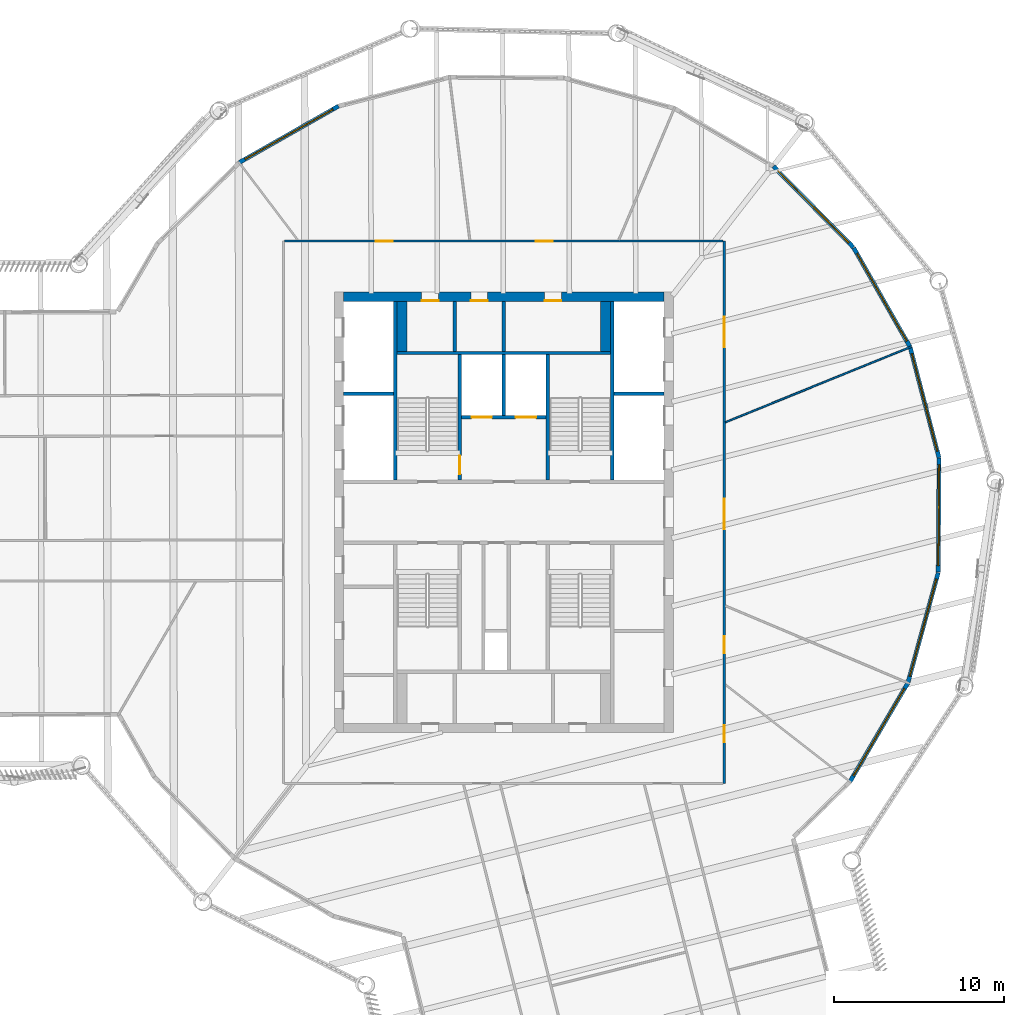
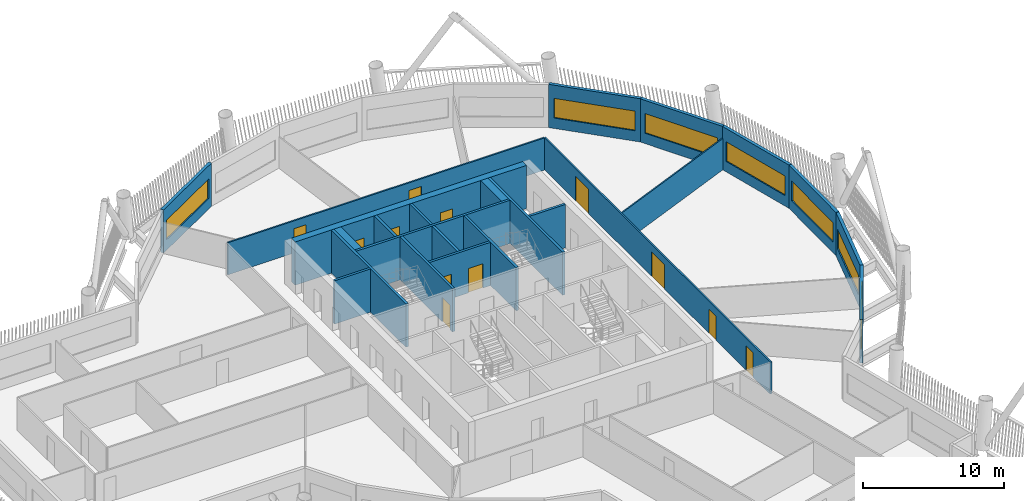
# One storey, part 6 of 22: 24 walls, 12 doors, 7 windows, 19 openings.
"""IFC4 building model written with IfcOpenShell, lengths in metres."""

from ifc_helpers import new_model, si_unit, direction, frame, frame_2d, origin, place, context, subcontext, project, spatial, rectangle, extrude, material, layer, layer_set, type_object, element, fill, save


model = new_model("IFC4")

# Units and contexts
model_context = context("Model", 3, precision=1e-05, world=origin(), true_north=direction((0.0, 1.0)))
body_context = subcontext(model_context, "Body", "Model", "MODEL_VIEW")
ifc_project = project(units=[si_unit("LENGTHUNIT", "METRE"), si_unit("AREAUNIT", "SQUARE_METRE"), si_unit("VOLUMEUNIT", "CUBIC_METRE"), si_unit("PLANEANGLEUNIT", "RADIAN"), si_unit("MASSUNIT", "GRAM", prefix="KILO")], contexts=[model_context])

# Site, building, storey
site_placement = place(None, origin())
site = spatial("IfcSite", under=ifc_project, at=site_placement, CompositionType="ELEMENT")
building_placement = place(site_placement, origin())
building = spatial("IfcBuilding", under=site, at=building_placement, Name="Tarsis Ring Headquarters", CompositionType="ELEMENT")
storey_placement = place(building_placement, frame((0.0, 0.0, 286.39990234375)))
storey = spatial("IfcBuildingStorey", under=building, at=storey_placement, Name="L67", CompositionType="ELEMENT", Elevation=286.39990234375)

# Walls
ifc_material_1 = material(Name="Blockwork", Category="masonry")
ifc_layer_1 = layer(ifc_material_1, 0.199951171875)
ifc_layer_set_1 = layer_set([ifc_layer_1], Name="Core blockwork wall 200")
wall_type_1 = type_object("IfcWallType", Name="Core blockwork wall 200", PredefinedType="PARTITIONING", material=ifc_layer_set_1)
for number, where, z_axis, x_axis, name in (
    (1, (-2.89990234375, 9.5, 0.0), (0.0, 0.0, 1.0), (0.0, 1.0, 0.0), "Core partition ND1"),
    (2, (0.0, 9.5, 0.0), (0.0, 0.0, 1.0), (0.0, 1.0, 0.0), "Core partition ND2"),
):
    element("IfcWall", number, at=place(storey_placement, frame(where, z_axis=z_axis, x_axis=x_axis)), inside=storey, type_object=wall_type_1, Name=name, PredefinedType="PARTITIONING", context=body_context, shape_type="SweptSolid", body=[
        extrude(rectangle(XDim=2.949951171875, YDim=0.199951171875, at=frame_2d((1.47509765625, 0.0))), origin(), (0.0, 0.0, 1.0), 3.739990234375),
    ])

# Wall, openings, doors
ifc_material_2 = material(Name="Concrete C50/60", Category="concrete")
ifc_layer_2 = layer(ifc_material_2, 0.550048828125)
ifc_layer_set_2 = layer_set([ifc_layer_2], Name="Core wall 550 C50/60")
wall_type_2 = type_object("IfcWallType", Name="Core wall 550 C50/60", PredefinedType="SHEAR", material=ifc_layer_set_2)
wall_1_placement = place(storey_placement, frame((-9.449951171875, 12.72509765625, 0.0), z_axis=(0.0, 0.0, 1.0), x_axis=(1.0, 0.0, 0.0)))
wall_1 = element("IfcWall", 3, at=wall_1_placement, inside=storey, type_object=wall_type_2, Name="Core wall ON", PredefinedType="SHEAR", context=body_context, shape_type="SweptSolid", body=[
    extrude(rectangle(XDim=18.89990234375, YDim=0.550048828125, at=frame_2d((9.449951171875, 0.0))), origin(), (0.0, 0.0, 1.0), 3.739990234375),
])
opening_1_placement = place(wall_1_placement, frame((4.60009765625, 0.0, 0.0)))
opening_1 = element("IfcOpeningElement", 4, at=opening_1_placement, cuts=wall_1, Name="Opening L67-C16", PredefinedType="OPENING", context=body_context, shape_type="SweptSolid", body=[
    extrude(rectangle(XDim=1.0, YDim=2.10009765625, at=frame_2d((0.5, 1.050048828125))), frame((0.0, 0.284912109375, 0.0), z_axis=(0.0, -1.0, 0.0), x_axis=(1.0, 0.0, 0.0)), (0.0, 0.0, 1.0), 0.570068359375),
])
opening_2_placement = place(wall_1_placement, frame((7.5, 0.0, 0.0)))
opening_2 = element("IfcOpeningElement", 5, at=opening_2_placement, cuts=wall_1, Name="Opening L67-C17", PredefinedType="OPENING", context=body_context, shape_type="SweptSolid", body=[
    extrude(rectangle(XDim=1.0, YDim=2.10009765625, at=frame_2d((0.5, 1.050048828125))), frame((0.0, 0.284912109375, 0.0), z_axis=(0.0, -1.0, 0.0), x_axis=(1.0, 0.0, 0.0)), (0.0, 0.0, 1.0), 0.570068359375),
])
opening_3_placement = place(wall_1_placement, frame((11.85009765625, 0.0, 0.0)))
opening_3 = element("IfcOpeningElement", 6, at=opening_3_placement, cuts=wall_1, Name="Opening L67-C18", PredefinedType="OPENING", context=body_context, shape_type="SweptSolid", body=[
    extrude(rectangle(XDim=1.0, YDim=2.10009765625, at=frame_2d((0.5, 1.050048828125))), frame((0.0, 0.284912109375, 0.0), z_axis=(0.0, -1.0, 0.0), x_axis=(1.0, 0.0, 0.0)), (0.0, 0.0, 1.0), 0.570068359375),
])
ifc_material_3 = material(Name="Steel S355", Category="steel")
door_type_1 = type_object("IfcDoorType", Name="Core room door 1000x2100", OperationType="SINGLE_SWING_LEFT", PredefinedType="DOOR", material=ifc_material_3)
door_1_placement = place(opening_1_placement, origin())
door_1 = element("IfcDoor", 7, at=door_1_placement, inside=storey, type_object=door_type_1, Name="Core room door L67", OperationType="SINGLE_SWING_LEFT", OverallHeight=2.10009765625, OverallWidth=1.0, PredefinedType="DOOR", context=body_context, shape_type="SweptSolid", body=[
    extrude(rectangle(XDim=1.0, YDim=2.10009765625, at=frame_2d((0.5, 1.050048828125))), frame((0.0, -0.22509765625, 0.0), z_axis=(0.0, -1.0, 0.0), x_axis=(1.0, 0.0, 0.0)), (0.0, 0.0, 1.0), 0.050048828125),
])
fill(opening_1, door_1)
door_2_placement = place(opening_2_placement, origin())
door_2 = element("IfcDoor", 8, at=door_2_placement, inside=storey, type_object=door_type_1, Name="Core room door L67", OperationType="SINGLE_SWING_LEFT", OverallHeight=2.10009765625, OverallWidth=1.0, PredefinedType="DOOR", context=body_context, shape_type="SweptSolid", body=[
    extrude(rectangle(XDim=1.0, YDim=2.10009765625, at=frame_2d((0.5, 1.050048828125))), frame((0.0, -0.22509765625, 0.0), z_axis=(0.0, -1.0, 0.0), x_axis=(1.0, 0.0, 0.0)), (0.0, 0.0, 1.0), 0.050048828125),
])
fill(opening_2, door_2)
door_3_placement = place(opening_3_placement, origin())
door_3 = element("IfcDoor", 9, at=door_3_placement, inside=storey, type_object=door_type_1, Name="Core room door L67", OperationType="SINGLE_SWING_LEFT", OverallHeight=2.10009765625, OverallWidth=1.0, PredefinedType="DOOR", context=body_context, shape_type="SweptSolid", body=[
    extrude(rectangle(XDim=1.0, YDim=2.10009765625, at=frame_2d((0.5, 1.050048828125))), frame((0.0, -0.22509765625, 0.0), z_axis=(0.0, -1.0, 0.0), x_axis=(1.0, 0.0, 0.0)), (0.0, 0.0, 1.0), 0.050048828125),
])
fill(opening_3, door_3)

# Wall
ifc_material_4 = material(Name="Gypsum board on steel studs", Category="steel")
ifc_layer_3 = layer(ifc_material_4, 0.10009765625)
ifc_layer_set_3 = layer_set([ifc_layer_3], Name="FL partition 100 unrated")
wall_type_3 = type_object("IfcWallType", Name="FL partition 100 unrated", PredefinedType="PARTITIONING", material=ifc_layer_set_3)
wall_2_placement = place(storey_placement, frame((13.07421875, 5.314208984375, 0.0), z_axis=(0.0, 0.0, 1.0), x_axis=(0.926400924174, 0.376538613809, 0.0)))
element("IfcWall", 10, at=wall_2_placement, inside=storey, type_object=wall_type_3, Name="Partition PW3", PredefinedType="PARTITIONING", context=body_context, shape_type="SweptSolid", body=[
    extrude(rectangle(XDim=11.8349609375, YDim=0.10009765625, at=frame_2d((5.91748046875, 0.0))), origin(), (0.0, 0.0, 1.0), 2.7001953125),
])

# Wall, openings, doors
ifc_layer_4 = layer(ifc_material_4, 0.125)
ifc_layer_set_4 = layer_set([ifc_layer_4], Name="FL partition 125 EI 60 H2770")
wall_type_4 = type_object("IfcWallType", Name="FL partition 125 EI 60 H2770", PredefinedType="PARTITIONING", material=ifc_layer_set_4)
wall_3_placement = place(storey_placement, frame((13.0, -16.0, 0.0), z_axis=(0.0, 0.0, 1.0), x_axis=(0.0, 1.0, 0.0)))
wall_3 = element("IfcWall", 11, at=wall_3_placement, inside=storey, type_object=wall_type_4, Name="Partition PW1", PredefinedType="PARTITIONING", context=body_context, shape_type="SweptSolid", body=[
    extrude(rectangle(XDim=32.0, YDim=0.125, at=frame_2d((16.0, 0.0))), origin(), (0.0, 0.0, 1.0), 2.77001953125),
])
opening_4_placement = place(wall_3_placement, frame((25.741943359375, 0.0, 0.0)))
opening_4 = element("IfcOpeningElement", 12, at=opening_4_placement, cuts=wall_3, Name="Opening D67.06", PredefinedType="OPENING", context=body_context, shape_type="SweptSolid", body=[
    extrude(rectangle(XDim=1.800048828125, YDim=2.10009765625, at=frame_2d((0.89990234375, 1.050048828125))), frame((0.0, 0.072509765625, 0.0), z_axis=(0.0, -1.0, 0.0), x_axis=(1.0, 0.0, 0.0)), (0.0, 0.0, 1.0), 0.14501953125),
])
opening_5_placement = place(wall_3_placement, frame((14.9990234375, 0.0, 0.0)))
opening_5 = element("IfcOpeningElement", 13, at=opening_5_placement, cuts=wall_3, Name="Opening D67.07", PredefinedType="OPENING", context=body_context, shape_type="SweptSolid", body=[
    extrude(rectangle(XDim=1.800048828125, YDim=2.10009765625, at=frame_2d((0.89990234375, 1.050048828125))), frame((0.0, 0.072509765625, 0.0), z_axis=(0.0, -1.0, 0.0), x_axis=(1.0, 0.0, 0.0)), (0.0, 0.0, 1.0), 0.14501953125),
])
opening_6_placement = place(wall_3_placement, frame((7.700439453125, 0.0, 0.0)))
opening_6 = element("IfcOpeningElement", 14, at=opening_6_placement, cuts=wall_3, Name="Opening D67.08", PredefinedType="OPENING", context=body_context, shape_type="SweptSolid", body=[
    extrude(rectangle(XDim=1.0, YDim=2.10009765625, at=frame_2d((0.5, 1.050048828125))), frame((0.0, 0.072509765625, 0.0), z_axis=(0.0, -1.0, 0.0), x_axis=(1.0, 0.0, 0.0)), (0.0, 0.0, 1.0), 0.14501953125),
])
opening_7_placement = place(wall_3_placement, frame((2.443603515625, 0.0, 0.0)))
opening_7 = element("IfcOpeningElement", 15, at=opening_7_placement, cuts=wall_3, Name="Opening D67.09", PredefinedType="OPENING", context=body_context, shape_type="SweptSolid", body=[
    extrude(rectangle(XDim=1.0, YDim=2.10009765625, at=frame_2d((0.5, 1.050048828125))), frame((0.0, 0.072509765625, 0.0), z_axis=(0.0, -1.0, 0.0), x_axis=(1.0, 0.0, 0.0)), (0.0, 0.0, 1.0), 0.14501953125),
])
ifc_material_5 = material(Name="Fire-rated timber door leaf in steel frame", Category="steel")
door_type_2 = type_object("IfcDoorType", Name="FL door FD60-1000", OperationType="NOTDEFINED", PredefinedType="DOOR", material=ifc_material_5)
door_4_placement = place(opening_6_placement, origin())
door_4 = element("IfcDoor", 16, at=door_4_placement, inside=storey, type_object=door_type_2, Name="Door D67.08", OperationType="SINGLE_SWING_LEFT", OverallHeight=2.10009765625, OverallWidth=1.0, PredefinedType="DOOR", context=body_context, shape_type="SweptSolid", body=[
    extrude(rectangle(XDim=1.0, YDim=2.10009765625, at=frame_2d((0.5, 1.050048828125))), frame((0.0, 0.02490234375, 0.0), z_axis=(0.0, -1.0, 0.0), x_axis=(1.0, 0.0, 0.0)), (0.0, 0.0, 1.0), 0.050048828125),
])
fill(opening_6, door_4)
door_5_placement = place(opening_7_placement, origin())
door_5 = element("IfcDoor", 17, at=door_5_placement, inside=storey, type_object=door_type_2, Name="Door D67.09", OperationType="SINGLE_SWING_RIGHT", OverallHeight=2.10009765625, OverallWidth=1.0, PredefinedType="DOOR", context=body_context, shape_type="SweptSolid", body=[
    extrude(rectangle(XDim=1.0, YDim=2.10009765625, at=frame_2d((0.5, 1.050048828125))), frame((0.0, 0.02490234375, 0.0), z_axis=(0.0, -1.0, 0.0), x_axis=(1.0, 0.0, 0.0)), (0.0, 0.0, 1.0), 0.050048828125),
])
fill(opening_7, door_5)
door_type_3 = type_object("IfcDoorType", Name="FL door FD60-1800", OperationType="DOUBLE_DOOR_SINGLE_SWING", PredefinedType="DOOR", material=ifc_material_5)
door_6_placement = place(opening_4_placement, origin())
door_6 = element("IfcDoor", 18, at=door_6_placement, inside=storey, type_object=door_type_3, Name="Door D67.06", OperationType="DOUBLE_DOOR_SINGLE_SWING", OverallHeight=2.10009765625, OverallWidth=1.800048828125, PredefinedType="DOOR", context=body_context, shape_type="SweptSolid", body=[
    extrude(rectangle(XDim=1.800048828125, YDim=2.10009765625, at=frame_2d((0.89990234375, 1.050048828125))), frame((0.0, 0.02490234375, 0.0), z_axis=(0.0, -1.0, 0.0), x_axis=(1.0, 0.0, 0.0)), (0.0, 0.0, 1.0), 0.050048828125),
])
fill(opening_4, door_6)
door_7_placement = place(opening_5_placement, origin())
door_7 = element("IfcDoor", 19, at=door_7_placement, inside=storey, type_object=door_type_3, Name="Door D67.07", OperationType="DOUBLE_DOOR_SINGLE_SWING", OverallHeight=2.10009765625, OverallWidth=1.800048828125, PredefinedType="DOOR", context=body_context, shape_type="SweptSolid", body=[
    extrude(rectangle(XDim=1.800048828125, YDim=2.10009765625, at=frame_2d((0.89990234375, 1.050048828125))), frame((0.0, 0.02490234375, 0.0), z_axis=(0.0, -1.0, 0.0), x_axis=(1.0, 0.0, 0.0)), (0.0, 0.0, 1.0), 0.050048828125),
])
fill(opening_5, door_7)

wall_4_placement = place(storey_placement, frame((-12.93994140625, 16.0, 0.0), z_axis=(0.0, 0.0, 1.0), x_axis=(1.0, 0.0, 0.0)))
wall_4 = element("IfcWall", 20, at=wall_4_placement, inside=storey, type_object=wall_type_4, Name="Partition PW1", PredefinedType="PARTITIONING", context=body_context, shape_type="SweptSolid", body=[
    extrude(rectangle(XDim=25.8798828125, YDim=0.125, at=frame_2d((12.93994140625, 0.0))), origin(), (0.0, 0.0, 1.0), 2.77001953125),
])
opening_8_placement = place(wall_4_placement, frame((5.385986328125, 0.0, 0.0)))
opening_8 = element("IfcOpeningElement", 21, at=opening_8_placement, cuts=wall_4, Name="Opening D67.04", PredefinedType="OPENING", context=body_context, shape_type="SweptSolid", body=[
    extrude(rectangle(XDim=1.0, YDim=2.10009765625, at=frame_2d((0.5, 1.050048828125))), frame((0.0, 0.072509765625, 0.0), z_axis=(0.0, -1.0, 0.0), x_axis=(1.0, 0.0, 0.0)), (0.0, 0.0, 1.0), 0.14501953125),
])
opening_9_placement = place(wall_4_placement, frame((14.81689453125, 0.0, 0.0)))
opening_9 = element("IfcOpeningElement", 22, at=opening_9_placement, cuts=wall_4, Name="Opening D67.05", PredefinedType="OPENING", context=body_context, shape_type="SweptSolid", body=[
    extrude(rectangle(XDim=1.0, YDim=2.10009765625, at=frame_2d((0.5, 1.050048828125))), frame((0.0, 0.072509765625, 0.0), z_axis=(0.0, -1.0, 0.0), x_axis=(1.0, 0.0, 0.0)), (0.0, 0.0, 1.0), 0.14501953125),
])
door_8_placement = place(opening_8_placement, origin())
door_8 = element("IfcDoor", 23, at=door_8_placement, inside=storey, type_object=door_type_2, Name="Door D67.04", OperationType="SINGLE_SWING_LEFT", OverallHeight=2.10009765625, OverallWidth=1.0, PredefinedType="DOOR", context=body_context, shape_type="SweptSolid", body=[
    extrude(rectangle(XDim=1.0, YDim=2.10009765625, at=frame_2d((0.5, 1.050048828125))), frame((0.0, 0.02490234375, 0.0), z_axis=(0.0, -1.0, 0.0), x_axis=(1.0, 0.0, 0.0)), (0.0, 0.0, 1.0), 0.050048828125),
])
fill(opening_8, door_8)
door_9_placement = place(opening_9_placement, origin())
door_9 = element("IfcDoor", 24, at=door_9_placement, inside=storey, type_object=door_type_2, Name="Door D67.05", OperationType="SINGLE_SWING_RIGHT", OverallHeight=2.10009765625, OverallWidth=1.0, PredefinedType="DOOR", context=body_context, shape_type="SweptSolid", body=[
    extrude(rectangle(XDim=1.0, YDim=2.10009765625, at=frame_2d((0.5, 1.050048828125))), frame((0.0, 0.02490234375, 0.0), z_axis=(0.0, -1.0, 0.0), x_axis=(1.0, 0.0, 0.0)), (0.0, 0.0, 1.0), 0.050048828125),
])
fill(opening_9, door_9)

# Wall, opening, window
ifc_material_6 = material(Name="Terracotta clad insulated panel wall", Category="masonry")
ifc_layer_5 = layer(ifc_material_6, 0.25)
ifc_layer_set_5 = layer_set([ifc_layer_5], Name="Facade wall terracotta panel 250")
wall_type_5 = type_object("IfcWallType", Name="Facade wall terracotta panel 250", PredefinedType="STANDARD", material=ifc_layer_set_5)
wall_5_placement = place(storey_placement, frame((20.4306640625, -15.87255859375, 0.0), z_axis=(0.0, 0.0, 1.0), x_axis=(0.505719499712, 0.862697970098, 0.0)))
wall_5 = element("IfcWall", 25, at=wall_5_placement, inside=storey, type_object=wall_type_5, Name="External wall L67-18", PredefinedType="STANDARD", context=body_context, shape_type="SweptSolid", body=[
    extrude(rectangle(XDim=6.721435546875, YDim=0.25, at=frame_2d((3.36083984375, 0.0))), origin(), (0.0, 0.0, 1.0), 3.739990234375),
])
opening_10_placement = place(wall_5_placement, frame((0.3857421875, 0.0, 0.89990234375)))
opening_10 = element("IfcOpeningElement", 26, at=opening_10_placement, cuts=wall_5, Name="Opening WN07", PredefinedType="OPENING", context=body_context, shape_type="SweptSolid", body=[
    extrude(rectangle(XDim=5.949951171875, YDim=1.699951171875, at=frame_2d((2.97509765625, 0.85009765625))), frame((0.0, 0.135009765625, 0.0), z_axis=(0.0, -1.0, 0.0), x_axis=(1.0, 0.0, 0.0)), (0.0, 0.0, 1.0), 0.27001953125),
])
ifc_material_7 = material(Name="Aluminium framed double glazing", Category="aluminium")
window_type = type_object("IfcWindowType", Name="Facade window 5950 x 1700", PartitioningType="SINGLE_PANEL", PredefinedType="WINDOW", material=ifc_material_7)
window_1_placement = place(opening_10_placement, origin())
window_1 = element("IfcWindow", 27, at=window_1_placement, inside=storey, type_object=window_type, Name="Window L67-18.1", OverallHeight=1.699951171875, OverallWidth=5.949951171875, PartitioningType="SINGLE_PANEL", PredefinedType="WINDOW", context=body_context, shape_type="SweptSolid", body=[
    extrude(rectangle(XDim=5.949951171875, YDim=1.699951171875, at=frame_2d((2.97509765625, 0.85009765625))), frame((0.0, 0.030029296875, 0.0), z_axis=(0.0, -1.0, 0.0), x_axis=(1.0, 0.0, 0.0)), (0.0, 0.0, 1.0), 0.06005859375),
])
fill(opening_10, window_1)

wall_6_placement = place(storey_placement, frame((23.842529296875, -10.0439453125, 0.0), z_axis=(0.0, 0.0, 1.0), x_axis=(0.265228241222, 0.964185656426, 0.0)))
wall_6 = element("IfcWall", 28, at=wall_6_placement, inside=storey, type_object=wall_type_5, Name="External wall L67-19", PredefinedType="STANDARD", context=body_context, shape_type="SweptSolid", body=[
    extrude(rectangle(XDim=6.721435546875, YDim=0.25, at=frame_2d((3.36083984375, 0.0))), origin(), (0.0, 0.0, 1.0), 3.739990234375),
])
opening_11_placement = place(wall_6_placement, frame((0.3857421875, 0.0, 0.89990234375)))
opening_11 = element("IfcOpeningElement", 29, at=opening_11_placement, cuts=wall_6, Name="Opening WN07", PredefinedType="OPENING", context=body_context, shape_type="SweptSolid", body=[
    extrude(rectangle(XDim=5.949951171875, YDim=1.699951171875, at=frame_2d((2.97509765625, 0.85009765625))), frame((0.0, 0.135009765625, 0.0), z_axis=(0.0, -1.0, 0.0), x_axis=(1.0, 0.0, 0.0)), (0.0, 0.0, 1.0), 0.27001953125),
])
window_2_placement = place(opening_11_placement, origin())
window_2 = element("IfcWindow", 30, at=window_2_placement, inside=storey, type_object=window_type, Name="Window L67-19.1", OverallHeight=1.699951171875, OverallWidth=5.949951171875, PartitioningType="SINGLE_PANEL", PredefinedType="WINDOW", context=body_context, shape_type="SweptSolid", body=[
    extrude(rectangle(XDim=5.949951171875, YDim=1.699951171875, at=frame_2d((2.97509765625, 0.85009765625))), frame((0.0, 0.030029296875, 0.0), z_axis=(0.0, -1.0, 0.0), x_axis=(1.0, 0.0, 0.0)), (0.0, 0.0, 1.0), 0.06005859375),
])
fill(opening_11, window_2)

wall_7_placement = place(storey_placement, frame((25.629638671875, -3.53076171875, 0.0), z_axis=(0.0, 0.0, 1.0), x_axis=(0.006646905574, 0.999977909079, 0.0)))
wall_7 = element("IfcWall", 31, at=wall_7_placement, inside=storey, type_object=wall_type_5, Name="External wall L67-20", PredefinedType="STANDARD", context=body_context, shape_type="SweptSolid", body=[
    extrude(rectangle(XDim=6.7216796875, YDim=0.25, at=frame_2d((3.36083984375, 0.0))), origin(), (0.0, 0.0, 1.0), 3.739990234375),
])
opening_12_placement = place(wall_7_placement, frame((0.3857421875, 0.0, 0.89990234375)))
opening_12 = element("IfcOpeningElement", 32, at=opening_12_placement, cuts=wall_7, Name="Opening WN07", PredefinedType="OPENING", context=body_context, shape_type="SweptSolid", body=[
    extrude(rectangle(XDim=5.949951171875, YDim=1.699951171875, at=frame_2d((2.97509765625, 0.85009765625))), frame((0.0, 0.135009765625, 0.0), z_axis=(0.0, -1.0, 0.0), x_axis=(1.0, 0.0, 0.0)), (0.0, 0.0, 1.0), 0.27001953125),
])
window_3_placement = place(opening_12_placement, origin())
window_3 = element("IfcWindow", 33, at=window_3_placement, inside=storey, type_object=window_type, Name="Window L67-20.1", OverallHeight=1.699951171875, OverallWidth=5.949951171875, PartitioningType="SINGLE_PANEL", PredefinedType="WINDOW", context=body_context, shape_type="SweptSolid", body=[
    extrude(rectangle(XDim=5.949951171875, YDim=1.699951171875, at=frame_2d((2.97509765625, 0.85009765625))), frame((0.0, 0.030029296875, 0.0), z_axis=(0.0, -1.0, 0.0), x_axis=(1.0, 0.0, 0.0)), (0.0, 0.0, 1.0), 0.06005859375),
])
fill(opening_12, window_3)

wall_8_placement = place(storey_placement, frame((25.670166015625, 3.222900390625, 0.0), z_axis=(0.0, 0.0, 1.0), x_axis=(-0.252402675283, 0.967622286592, 0.0)))
wall_8 = element("IfcWall", 34, at=wall_8_placement, inside=storey, type_object=wall_type_5, Name="External wall L67-21", PredefinedType="STANDARD", context=body_context, shape_type="SweptSolid", body=[
    extrude(rectangle(XDim=6.721435546875, YDim=0.25, at=frame_2d((3.36083984375, 0.0))), origin(), (0.0, 0.0, 1.0), 3.739990234375),
])
opening_13_placement = place(wall_8_placement, frame((0.3857421875, 0.0, 0.89990234375)))
opening_13 = element("IfcOpeningElement", 35, at=opening_13_placement, cuts=wall_8, Name="Opening WN07", PredefinedType="OPENING", context=body_context, shape_type="SweptSolid", body=[
    extrude(rectangle(XDim=5.949951171875, YDim=1.699951171875, at=frame_2d((2.97509765625, 0.85009765625))), frame((0.0, 0.135009765625, 0.0), z_axis=(0.0, -1.0, 0.0), x_axis=(1.0, 0.0, 0.0)), (0.0, 0.0, 1.0), 0.27001953125),
])
window_4_placement = place(opening_13_placement, origin())
window_4 = element("IfcWindow", 36, at=window_4_placement, inside=storey, type_object=window_type, Name="Window L67-21.1", OverallHeight=1.699951171875, OverallWidth=5.949951171875, PartitioningType="SINGLE_PANEL", PredefinedType="WINDOW", context=body_context, shape_type="SweptSolid", body=[
    extrude(rectangle(XDim=5.949951171875, YDim=1.699951171875, at=frame_2d((2.97509765625, 0.85009765625))), frame((0.0, 0.030029296875, 0.0), z_axis=(0.0, -1.0, 0.0), x_axis=(1.0, 0.0, 0.0)), (0.0, 0.0, 1.0), 0.06005859375),
])
fill(opening_13, window_4)

wall_9_placement = place(storey_placement, frame((23.96142578125, 9.757080078125, 0.0), z_axis=(0.0, 0.0, 1.0), x_axis=(-0.494232797543, 0.869329593326, 0.0)))
wall_9 = element("IfcWall", 37, at=wall_9_placement, inside=storey, type_object=wall_type_5, Name="External wall L67-22", PredefinedType="STANDARD", context=body_context, shape_type="SweptSolid", body=[
    extrude(rectangle(XDim=6.7216796875, YDim=0.25, at=frame_2d((3.36083984375, 0.0))), origin(), (0.0, 0.0, 1.0), 3.739990234375),
])
opening_14_placement = place(wall_9_placement, frame((0.3857421875, 0.0, 0.89990234375)))
opening_14 = element("IfcOpeningElement", 38, at=opening_14_placement, cuts=wall_9, Name="Opening WN07", PredefinedType="OPENING", context=body_context, shape_type="SweptSolid", body=[
    extrude(rectangle(XDim=5.949951171875, YDim=1.699951171875, at=frame_2d((2.97509765625, 0.85009765625))), frame((0.0, 0.135009765625, 0.0), z_axis=(0.0, -1.0, 0.0), x_axis=(1.0, 0.0, 0.0)), (0.0, 0.0, 1.0), 0.27001953125),
])
window_5_placement = place(opening_14_placement, origin())
window_5 = element("IfcWindow", 39, at=window_5_placement, inside=storey, type_object=window_type, Name="Window L67-22.1", OverallHeight=1.699951171875, OverallWidth=5.949951171875, PartitioningType="SINGLE_PANEL", PredefinedType="WINDOW", context=body_context, shape_type="SweptSolid", body=[
    extrude(rectangle(XDim=5.949951171875, YDim=1.699951171875, at=frame_2d((2.97509765625, 0.85009765625))), frame((0.0, 0.030029296875, 0.0), z_axis=(0.0, -1.0, 0.0), x_axis=(1.0, 0.0, 0.0)), (0.0, 0.0, 1.0), 0.06005859375),
])
fill(opening_14, window_5)

wall_10_placement = place(storey_placement, frame((20.61962890625, 15.626220703125, 0.0), z_axis=(0.0, 0.0, 1.0), x_axis=(-0.70238748697, 0.711794786542, 0.0)))
wall_10 = element("IfcWall", 40, at=wall_10_placement, inside=storey, type_object=wall_type_5, Name="External wall L67-23", PredefinedType="STANDARD", context=body_context, shape_type="SweptSolid", body=[
    extrude(rectangle(XDim=6.7216796875, YDim=0.25, at=frame_2d((3.36083984375, 0.0))), origin(), (0.0, 0.0, 1.0), 3.739990234375),
])
opening_15_placement = place(wall_10_placement, frame((0.3857421875, 0.0, 0.89990234375)))
opening_15 = element("IfcOpeningElement", 41, at=opening_15_placement, cuts=wall_10, Name="Opening WN07", PredefinedType="OPENING", context=body_context, shape_type="SweptSolid", body=[
    extrude(rectangle(XDim=5.949951171875, YDim=1.699951171875, at=frame_2d((2.97509765625, 0.85009765625))), frame((0.0, 0.135009765625, 0.0), z_axis=(0.0, -1.0, 0.0), x_axis=(1.0, 0.0, 0.0)), (0.0, 0.0, 1.0), 0.27001953125),
])
window_6_placement = place(opening_15_placement, origin())
window_6 = element("IfcWindow", 42, at=window_6_placement, inside=storey, type_object=window_type, Name="Window L67-23.1", OverallHeight=1.699951171875, OverallWidth=5.949951171875, PartitioningType="SINGLE_PANEL", PredefinedType="WINDOW", context=body_context, shape_type="SweptSolid", body=[
    extrude(rectangle(XDim=5.949951171875, YDim=1.699951171875, at=frame_2d((2.97509765625, 0.85009765625))), frame((0.0, 0.030029296875, 0.0), z_axis=(0.0, -1.0, 0.0), x_axis=(1.0, 0.0, 0.0)), (0.0, 0.0, 1.0), 0.06005859375),
])
fill(opening_15, window_6)

wall_11_placement = place(storey_placement, frame((-9.757080078125, 23.96142578125, 0.0), z_axis=(0.0, 0.0, 1.0), x_axis=(-0.869329593326, -0.494232797543, 0.0)))
wall_11 = element("IfcWall", 43, at=wall_11_placement, inside=storey, type_object=wall_type_5, Name="External wall L67-28", PredefinedType="STANDARD", context=body_context, shape_type="SweptSolid", body=[
    extrude(rectangle(XDim=6.7216796875, YDim=0.25, at=frame_2d((3.36083984375, 0.0))), origin(), (0.0, 0.0, 1.0), 3.739990234375),
])
opening_16_placement = place(wall_11_placement, frame((0.3857421875, 0.0, 0.89990234375)))
opening_16 = element("IfcOpeningElement", 44, at=opening_16_placement, cuts=wall_11, Name="Opening WN07", PredefinedType="OPENING", context=body_context, shape_type="SweptSolid", body=[
    extrude(rectangle(XDim=5.949951171875, YDim=1.699951171875, at=frame_2d((2.97509765625, 0.85009765625))), frame((0.0, 0.135009765625, 0.0), z_axis=(0.0, -1.0, 0.0), x_axis=(1.0, 0.0, 0.0)), (0.0, 0.0, 1.0), 0.27001953125),
])
window_7_placement = place(opening_16_placement, origin())
window_7 = element("IfcWindow", 45, at=window_7_placement, inside=storey, type_object=window_type, Name="Window L67-28.1", OverallHeight=1.699951171875, OverallWidth=5.949951171875, PartitioningType="SINGLE_PANEL", PredefinedType="WINDOW", context=body_context, shape_type="SweptSolid", body=[
    extrude(rectangle(XDim=5.949951171875, YDim=1.699951171875, at=frame_2d((2.97509765625, 0.85009765625))), frame((0.0, 0.030029296875, 0.0), z_axis=(0.0, -1.0, 0.0), x_axis=(1.0, 0.0, 0.0)), (0.0, 0.0, 1.0), 0.06005859375),
])
fill(opening_16, window_7)

# Walls
ifc_material_8 = material(Name="Concrete C32/40", Category="concrete")
ifc_layer_6 = layer(ifc_material_8, 0.60009765625)
ifc_layer_set_6 = layer_set([ifc_layer_6], Name="Shaft end wall 600 C32/40")
wall_type_6 = type_object("IfcWallType", Name="Shaft end wall 600 C32/40", PredefinedType="SOLIDWALL", material=ifc_layer_set_6)
for number, where, z_axis, x_axis, name in (
    (46, (-6.0, 9.5, 0.0), (0.0, 0.0, 1.0), (0.0, 1.0, 0.0), "Core shaft wall NNE1"),
    (47, (6.0, 9.5, 0.0), (0.0, 0.0, 1.0), (0.0, 1.0, 0.0), "Core shaft wall NNE2"),
):
    element("IfcWall", number, at=place(storey_placement, frame(where, z_axis=z_axis, x_axis=x_axis)), inside=storey, type_object=wall_type_6, Name=name, PredefinedType="SOLIDWALL", context=body_context, shape_type="SweptSolid", body=[
        extrude(rectangle(XDim=2.949951171875, YDim=0.60009765625, at=frame_2d((1.47509765625, 0.0))), origin(), (0.0, 0.0, 1.0), 3.739990234375),
    ])
ifc_layer_7 = layer(ifc_material_8, 0.199951171875)
ifc_layer_set_7 = layer_set([ifc_layer_7], Name="Shaft wall 200 C32/40")
wall_type_7 = type_object("IfcWallType", Name="Shaft wall 200 C32/40", PredefinedType="SOLIDWALL", material=ifc_layer_set_7)
for number, where, z_axis, x_axis, name in (
    (48, (-6.39990234375, 1.89990234375, 0.0), (0.0, 0.0, 1.0), (0.0, 1.0, 0.0), "Core shaft wall WB2"),
    (49, (6.39990234375, 1.89990234375, 0.0), (0.0, 0.0, 1.0), (0.0, 1.0, 0.0), "Core shaft wall EB2"),
):
    element("IfcWall", number, at=place(storey_placement, frame(where, z_axis=z_axis, x_axis=x_axis)), inside=storey, type_object=wall_type_7, Name=name, PredefinedType="SOLIDWALL", context=body_context, shape_type="SweptSolid", body=[
        extrude(rectangle(XDim=10.550048828125, YDim=0.199951171875, at=frame_2d((5.27490234375, 0.0))), origin(), (0.0, 0.0, 1.0), 3.739990234375),
    ])
wall_12_placement = place(storey_placement, frame((-6.300048828125, 9.39990234375, 0.0), z_axis=(0.0, 0.0, 1.0), x_axis=(1.0, 0.0, 0.0)))
element("IfcWall", 50, at=wall_12_placement, inside=storey, type_object=wall_type_7, Name="Core shaft wall NB", PredefinedType="SOLIDWALL", context=body_context, shape_type="SweptSolid", body=[
    extrude(rectangle(XDim=12.60009765625, YDim=0.199951171875, at=frame_2d((6.300048828125, 0.0))), origin(), (0.0, 0.0, 1.0), 3.739990234375),
])

# Wall, opening, door
wall_13_placement = place(storey_placement, frame((-2.60009765625, 1.89990234375, 0.0), z_axis=(0.0, 0.0, 1.0), x_axis=(0.0, 1.0, 0.0)))
wall_13 = element("IfcWall", 51, at=wall_13_placement, inside=storey, type_object=wall_type_7, Name="Core shaft wall SW1", PredefinedType="SOLIDWALL", context=body_context, shape_type="SweptSolid", body=[
    extrude(rectangle(XDim=7.400146484375, YDim=0.199951171875, at=frame_2d((3.7001953125, 0.0))), origin(), (0.0, 0.0, 1.0), 3.739990234375),
])
opening_17_placement = place(wall_13_placement, frame((0.35009765625, 0.0, 0.0)))
opening_17 = element("IfcOpeningElement", 52, at=opening_17_placement, cuts=wall_13, Name="Opening L67-C30", PredefinedType="OPENING", context=body_context, shape_type="SweptSolid", body=[
    extrude(rectangle(XDim=1.10009765625, YDim=2.10009765625, at=frame_2d((0.550048828125, 1.050048828125))), frame((0.0, 0.10986328125, 0.0), z_axis=(0.0, -1.0, 0.0), x_axis=(1.0, 0.0, 0.0)), (0.0, 0.0, 1.0), 0.219970703125),
])
door_type_4 = type_object("IfcDoorType", Name="Stair door 1100x2100", OperationType="SINGLE_SWING_LEFT", PredefinedType="DOOR", material=ifc_material_3)
door_10_placement = place(opening_17_placement, origin())
door_10 = element("IfcDoor", 53, at=door_10_placement, inside=storey, type_object=door_type_4, Name="Stair door L67", OperationType="SINGLE_SWING_LEFT", OverallHeight=2.10009765625, OverallWidth=1.10009765625, PredefinedType="DOOR", context=body_context, shape_type="SweptSolid", body=[
    extrude(rectangle(XDim=1.10009765625, YDim=2.10009765625, at=frame_2d((0.550048828125, 1.050048828125))), frame((0.0, 0.02490234375, 0.0), z_axis=(0.0, -1.0, 0.0), x_axis=(1.0, 0.0, 0.0)), (0.0, 0.0, 1.0), 0.050048828125),
])
fill(opening_17, door_10)

# Wall
wall_14_placement = place(storey_placement, frame((2.60009765625, 1.89990234375, 0.0), z_axis=(0.0, 0.0, 1.0), x_axis=(0.0, 1.0, 0.0)))
element("IfcWall", 54, at=wall_14_placement, inside=storey, type_object=wall_type_7, Name="Core shaft wall SW2", PredefinedType="SOLIDWALL", context=body_context, shape_type="SweptSolid", body=[
    extrude(rectangle(XDim=7.400146484375, YDim=0.199951171875, at=frame_2d((3.7001953125, 0.0))), origin(), (0.0, 0.0, 1.0), 3.739990234375),
])

# Wall, openings, doors
wall_15_placement = place(storey_placement, frame((-2.5, 5.60009765625, 0.0), z_axis=(0.0, 0.0, 1.0), x_axis=(1.0, 0.0, 0.0)))
wall_15 = element("IfcWall", 55, at=wall_15_placement, inside=storey, type_object=wall_type_7, Name="Core shaft wall FFN", PredefinedType="SOLIDWALL", context=body_context, shape_type="SweptSolid", body=[
    extrude(rectangle(XDim=5.0, YDim=0.199951171875, at=frame_2d((2.5, 0.0))), origin(), (0.0, 0.0, 1.0), 3.739990234375),
])
opening_18_placement = place(wall_15_placement, frame((0.60009765625, 0.0, 0.0)))
opening_18 = element("IfcOpeningElement", 56, at=opening_18_placement, cuts=wall_15, Name="Opening LDF-1", PredefinedType="OPENING", context=body_context, shape_type="SweptSolid", body=[
    extrude(rectangle(XDim=1.199951171875, YDim=2.10009765625, at=frame_2d((0.60009765625, 1.050048828125))), frame((0.0, 0.10986328125, 0.0), z_axis=(0.0, -1.0, 0.0), x_axis=(1.0, 0.0, 0.0)), (0.0, 0.0, 1.0), 0.219970703125),
])
opening_19_placement = place(wall_15_placement, frame((3.199951171875, 0.0, 0.0)))
opening_19 = element("IfcOpeningElement", 57, at=opening_19_placement, cuts=wall_15, Name="Opening LDF-2", PredefinedType="OPENING", context=body_context, shape_type="SweptSolid", body=[
    extrude(rectangle(XDim=1.199951171875, YDim=2.10009765625, at=frame_2d((0.60009765625, 1.050048828125))), frame((0.0, 0.10986328125, 0.0), z_axis=(0.0, -1.0, 0.0), x_axis=(1.0, 0.0, 0.0)), (0.0, 0.0, 1.0), 0.219970703125),
])
door_type_5 = type_object("IfcDoorType", Name="Firefighting landing door 1200x2100", OperationType="SLIDING_TO_LEFT", PredefinedType="DOOR", material=ifc_material_3)
door_11_placement = place(opening_18_placement, origin())
door_11 = element("IfcDoor", 58, at=door_11_placement, inside=storey, type_object=door_type_5, Name="Landing door FF1 L67", OperationType="SLIDING_TO_LEFT", OverallHeight=2.10009765625, OverallWidth=1.199951171875, PredefinedType="DOOR", context=body_context, shape_type="SweptSolid", body=[
    extrude(rectangle(XDim=1.199951171875, YDim=2.10009765625, at=frame_2d((0.60009765625, 1.050048828125))), frame((0.0, 0.02490234375, 0.0), z_axis=(0.0, -1.0, 0.0), x_axis=(1.0, 0.0, 0.0)), (0.0, 0.0, 1.0), 0.050048828125),
])
fill(opening_18, door_11)
door_12_placement = place(opening_19_placement, origin())
door_12 = element("IfcDoor", 59, at=door_12_placement, inside=storey, type_object=door_type_5, Name="Landing door FF2 L67", OperationType="SLIDING_TO_LEFT", OverallHeight=2.10009765625, OverallWidth=1.199951171875, PredefinedType="DOOR", context=body_context, shape_type="SweptSolid", body=[
    extrude(rectangle(XDim=1.199951171875, YDim=2.10009765625, at=frame_2d((0.60009765625, 1.050048828125))), frame((0.0, 0.02490234375, 0.0), z_axis=(0.0, -1.0, 0.0), x_axis=(1.0, 0.0, 0.0)), (0.0, 0.0, 1.0), 0.050048828125),
])
fill(opening_19, door_12)

# Walls
wall_16_placement = place(storey_placement, frame((0.0, 5.699951171875, 0.0), z_axis=(0.0, 0.0, 1.0), x_axis=(0.0, 1.0, 0.0)))
element("IfcWall", 60, at=wall_16_placement, inside=storey, type_object=wall_type_7, Name="Core shaft wall FFD", PredefinedType="SOLIDWALL", context=body_context, shape_type="SweptSolid", body=[
    extrude(rectangle(XDim=3.60009765625, YDim=0.199951171875, at=frame_2d((1.800048828125, 0.0))), origin(), (0.0, 0.0, 1.0), 3.739990234375),
])
for number, where, z_axis, x_axis, name in (
    (61, (-9.449951171875, 7.0, 0.0), (0.0, 0.0, 1.0), (1.0, 0.0, 0.0), "Core shaft wall WD6"),
    (62, (6.5, 7.0, 0.0), (0.0, 0.0, 1.0), (1.0, 0.0, 0.0), "Core shaft wall ED6"),
):
    element("IfcWall", number, at=place(storey_placement, frame(where, z_axis=z_axis, x_axis=x_axis)), inside=storey, type_object=wall_type_7, Name=name, PredefinedType="SOLIDWALL", context=body_context, shape_type="SweptSolid", body=[
        extrude(rectangle(XDim=2.949951171875, YDim=0.199951171875, at=frame_2d((1.47509765625, 0.0))), origin(), (0.0, 0.0, 1.0), 3.739990234375),
    ])

save(model, "model.ifc")
